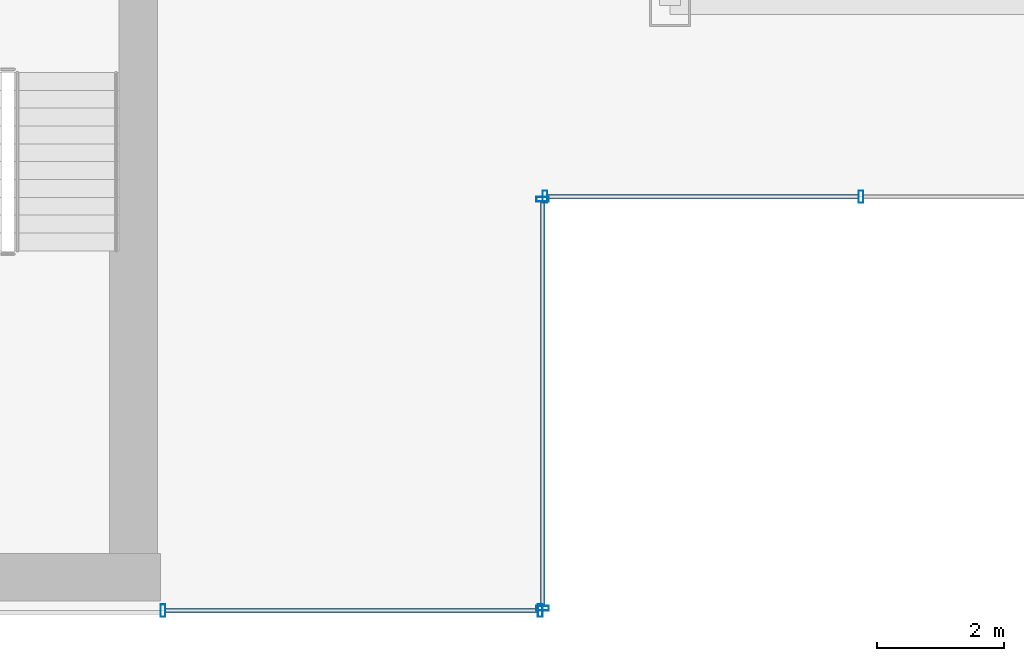
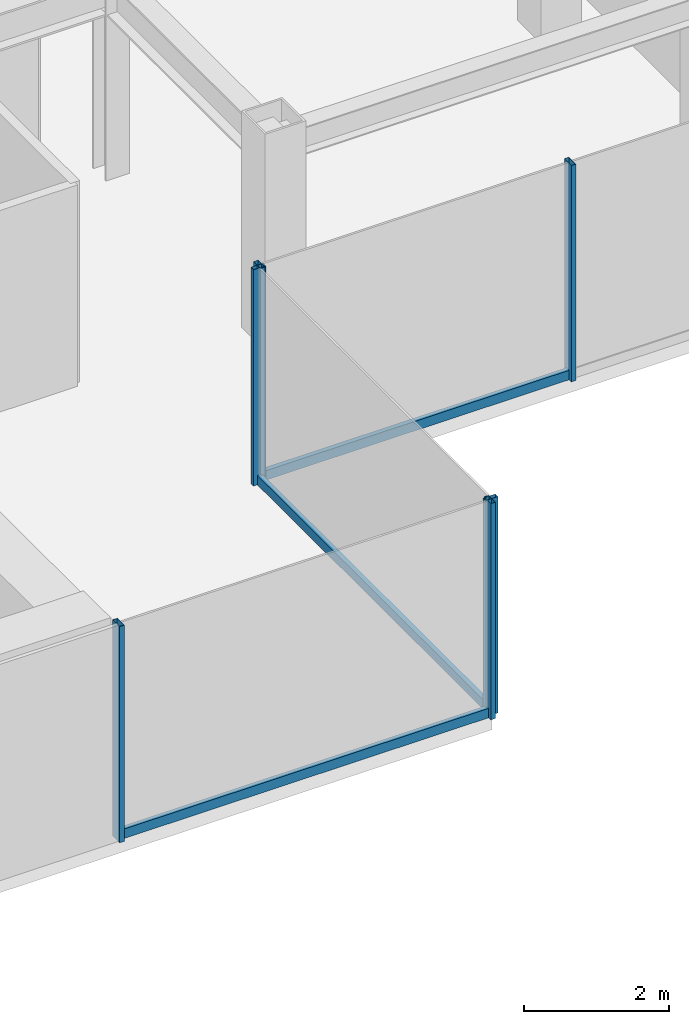
# One storey, part 9 of 23: 9 members, 3 elements without a shape of their own.
"""IFC4 building model written with IfcOpenShell, lengths in metres."""

from ifc_helpers import new_model, si_unit, derived_unit, direction, frame, origin, origin_2d, place, context, subcontext, project, spatial, hollow_rectangle, extrude, source, transform, mapped, material, material_profile, profile_set, type_object, element, aggregate, save


model = new_model("IFC4")

# Units and contexts
model_context = context("Model", 3, precision=1e-05, world=origin(), true_north=direction((0.0, 1.0)))
body_context = subcontext(model_context, "Body", "Model", "MODEL_VIEW")
ifc_project = project(units=[si_unit("LENGTHUNIT", "METRE"), si_unit("AREAUNIT", "SQUARE_METRE"), si_unit("VOLUMEUNIT", "CUBIC_METRE"), si_unit("PLANEANGLEUNIT", "RADIAN"), si_unit("MASSUNIT", "GRAM", prefix="KILO"), derived_unit("THERMALTRANSMITTANCEUNIT", [(si_unit("POWERUNIT", "WATT"), 1), (si_unit("LENGTHUNIT", "METRE"), -2), (si_unit("THERMODYNAMICTEMPERATUREUNIT", "KELVIN"), -1)])], contexts=[model_context])

# Site, building, storey
site_placement = place(None, origin())
site = spatial("IfcSite", under=ifc_project, at=site_placement, CompositionType="ELEMENT")
building_placement = place(site_placement, origin())
building = spatial("IfcBuilding", under=site, at=building_placement, Name="Skarnbrae Concourse Arena and Tower", CompositionType="ELEMENT")
storey_placement = place(building_placement, frame((0.0, 0.0, 140.60009765625)))
storey = spatial("IfcBuildingStorey", under=building, at=storey_placement, Name="L35", CompositionType="ELEMENT", Elevation=140.60009765625)

# Curtain wall, member
ifc_material = material(Name="Bronze anodised aluminium 6063-T6", Category="aluminium")
curtain_wall_type = type_object("IfcCurtainWallType", Name="CW-SYS-04-MIDZONE", PredefinedType="USERDEFINED", material=ifc_material)
curtain_wall_1_placement = place(storey_placement, origin())
curtain_wall_1 = element("IfcCurtainWall", 1, at=curtain_wall_1_placement, inside=storey, type_object=curtain_wall_type, Name="L35 Unitised curtain wall CW-L35-E03", ObjectType="UNITISED CURTAIN WALL", PredefinedType="USERDEFINED")
ifc_material_profile_1 = material_profile(ifc_material, hollow_rectangle(XDim=0.074951171875, YDim=0.159912109375, WallThickness=0.00439453125, at=origin_2d()), Name="ALU-TRAN-75X160")
ifc_profile_set_1 = profile_set([ifc_material_profile_1], Name="Bronze anodised aluminium 6063-T6")
member_type_1 = type_object("IfcMemberType", Name="CWT-CW-04", PredefinedType="USERDEFINED", material=ifc_profile_set_1)
shared_shape_1 = source(origin(), body_context, "Body", "SweptSolid", [
    extrude(hollow_rectangle(XDim=0.074951171875, YDim=0.159912109375, WallThickness=0.00439453125, at=origin_2d()), origin(), (0.0, 0.0, 1.0), 4.887451171875),
])
member_1_placement = place(storey_placement, frame((40.074951171875, 6.5, 0.079833984375), z_axis=(1.0, 0.0, 0.0), x_axis=(0.0, 1.0, 0.0)))
member_1 = element("IfcMember", 2, at=member_1_placement, type_object=member_type_1, Name="CW-L35-E03 Transom 1", ObjectType="TRANSOM", PredefinedType="USERDEFINED", context=body_context, shape_type="MappedRepresentation", body=[
    mapped(shared_shape_1, transform((0.0, 0.0, 0.0))),
])

# Curtain wall, members
curtain_wall_2_placement = place(storey_placement, origin())
curtain_wall_2 = element("IfcCurtainWall", 3, at=curtain_wall_2_placement, inside=storey, type_object=curtain_wall_type, Name="L35 Unitised curtain wall CW-L35-SE-SPINE", ObjectType="UNITISED CURTAIN WALL", PredefinedType="USERDEFINED")
ifc_material_profile_2 = material_profile(ifc_material, hollow_rectangle(XDim=0.074951171875, YDim=0.195068359375, WallThickness=0.00439453125, at=origin_2d()), Name="ALU-MULL-75X195")
ifc_profile_set_2 = profile_set([ifc_material_profile_2], Name="Bronze anodised aluminium 6063-T6")
member_type_2 = type_object("IfcMemberType", Name="CWM-CW-04", PredefinedType="MULLION", material=ifc_profile_set_2)
shared_shape_2 = source(origin(), body_context, "Body", "SweptSolid", [
    extrude(hollow_rectangle(XDim=0.074951171875, YDim=0.195068359375, WallThickness=0.00439453125, at=origin_2d()), origin(), (0.0, 0.0, 1.0), 3.64990234375),
])
member_2_placement = place(storey_placement, frame((34.03759765625, 0.0, 0.0), z_axis=(0.0, 0.0, 1.0), x_axis=(1.0, 0.0, 0.0)))
member_2 = element("IfcMember", 4, at=member_2_placement, type_object=member_type_2, Name="CW-L35-SE-SPINE Mullion 1", PredefinedType="MULLION", context=body_context, shape_type="MappedRepresentation", body=[
    mapped(shared_shape_2, transform((0.0, 0.0, 0.0))),
])
member_3_placement = place(storey_placement, frame((39.96240234375, 0.0, 0.0), z_axis=(0.0, 0.0, 1.0), x_axis=(1.0, 0.0, 0.0)))
member_3 = element("IfcMember", 5, at=member_3_placement, type_object=member_type_2, Name="CW-L35-SE-SPINE Mullion 2", PredefinedType="MULLION", context=body_context, shape_type="MappedRepresentation", body=[
    mapped(shared_shape_2, transform((0.0, 0.0, 0.0))),
])

curtain_wall_3_placement = place(storey_placement, origin())
curtain_wall_3 = element("IfcCurtainWall", 6, at=curtain_wall_3_placement, inside=storey, type_object=curtain_wall_type, Name="L35 Unitised curtain wall CW-L35-E02", ObjectType="UNITISED CURTAIN WALL", PredefinedType="USERDEFINED")
member_4_placement = place(storey_placement, frame((40.0, 0.03759765625, 0.0), z_axis=(0.0, 0.0, 1.0), x_axis=(0.0, 1.0, 0.0)))
member_4 = element("IfcMember", 7, at=member_4_placement, type_object=member_type_2, Name="CW-L35-E02 Mullion 1", PredefinedType="MULLION", context=body_context, shape_type="MappedRepresentation", body=[
    mapped(shared_shape_2, transform((0.0, 0.0, 0.0))),
])
member_5_placement = place(storey_placement, frame((40.0, 6.46240234375, 0.0), z_axis=(0.0, 0.0, 1.0), x_axis=(0.0, 1.0, 0.0)))
member_5 = element("IfcMember", 8, at=member_5_placement, type_object=member_type_2, Name="CW-L35-E02 Mullion 2", PredefinedType="MULLION", context=body_context, shape_type="MappedRepresentation", body=[
    mapped(shared_shape_2, transform((0.0, 0.0, 0.0))),
])

# Member
member_6_placement = place(storey_placement, frame((40.03759765625, 6.5, 0.0), z_axis=(0.0, 0.0, 1.0), x_axis=(1.0, 0.0, 0.0)))
member_6 = element("IfcMember", 9, at=member_6_placement, type_object=member_type_2, Name="CW-L35-E03 Mullion 1", PredefinedType="MULLION", context=body_context, shape_type="MappedRepresentation", body=[
    mapped(shared_shape_2, transform((0.0, 0.0, 0.0))),
])

member_7_placement = place(storey_placement, frame((45.0, 6.5, 0.0), z_axis=(0.0, 0.0, 1.0), x_axis=(1.0, 0.0, 0.0)))
member_7 = element("IfcMember", 10, at=member_7_placement, type_object=member_type_2, Name="CW-L35-E03 Mullion 2", PredefinedType="MULLION", context=body_context, shape_type="MappedRepresentation", body=[
    mapped(shared_shape_2, transform((0.0, 0.0, 0.0))),
])

aggregate(curtain_wall_1, [member_6, member_7, member_1])

shared_shape_3 = source(origin(), body_context, "Body", "SweptSolid", [
    extrude(hollow_rectangle(XDim=0.074951171875, YDim=0.159912109375, WallThickness=0.00439453125, at=origin_2d()), origin(), (0.0, 0.0, 1.0), 5.85009765625),
])
member_8_placement = place(storey_placement, frame((34.074951171875, 0.0, 0.079833984375), z_axis=(1.0, 0.0, 0.0), x_axis=(0.0, 1.0, 0.0)))
member_8 = element("IfcMember", 11, at=member_8_placement, type_object=member_type_1, Name="CW-L35-SE-SPINE Transom 1", ObjectType="TRANSOM", PredefinedType="USERDEFINED", context=body_context, shape_type="MappedRepresentation", body=[
    mapped(shared_shape_3, transform((0.0, 0.0, 0.0))),
])

aggregate(curtain_wall_2, [member_2, member_3, member_8])

shared_shape_4 = source(origin(), body_context, "Body", "SweptSolid", [
    extrude(hollow_rectangle(XDim=0.074951171875, YDim=0.159912109375, WallThickness=0.00439453125, at=origin_2d()), origin(), (0.0, 0.0, 1.0), 6.35009765625),
])
member_9_placement = place(storey_placement, frame((40.0, 0.074951171875, 0.079833984375), z_axis=(0.0, 1.0, 0.0), x_axis=(-1.0, 0.0, 0.0)))
member_9 = element("IfcMember", 12, at=member_9_placement, type_object=member_type_1, Name="CW-L35-E02 Transom 1", ObjectType="TRANSOM", PredefinedType="USERDEFINED", context=body_context, shape_type="MappedRepresentation", body=[
    mapped(shared_shape_4, transform((0.0, 0.0, 0.0))),
])

aggregate(curtain_wall_3, [member_4, member_5, member_9])

save(model, "model.ifc")
